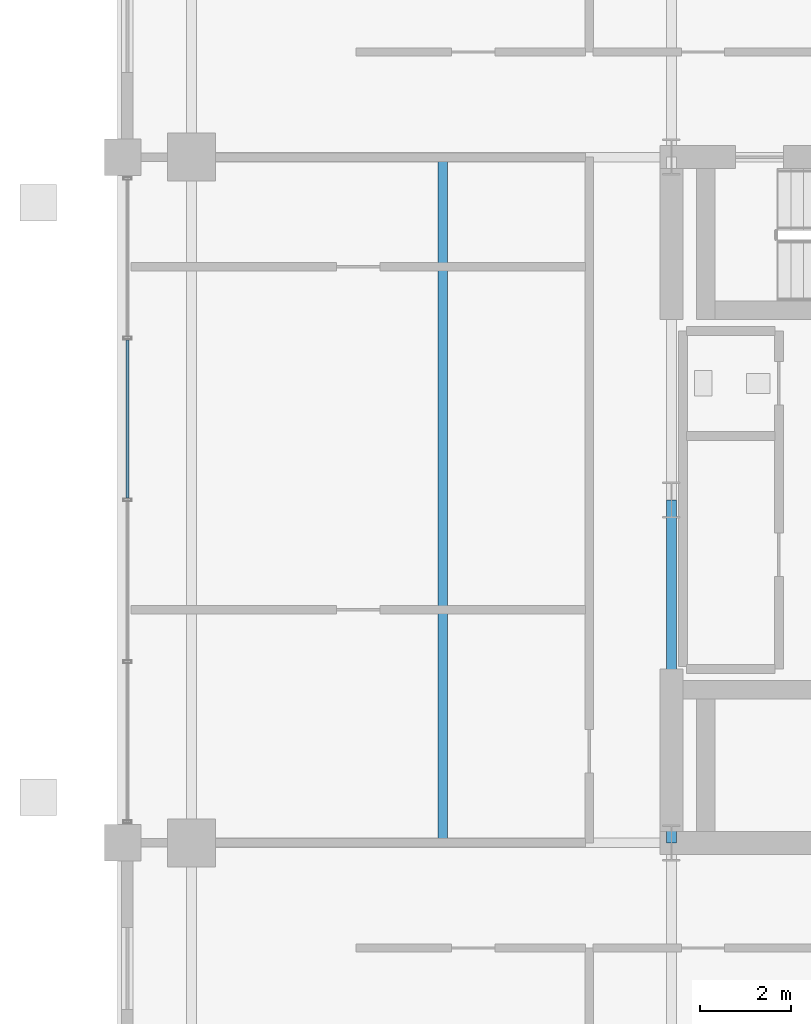
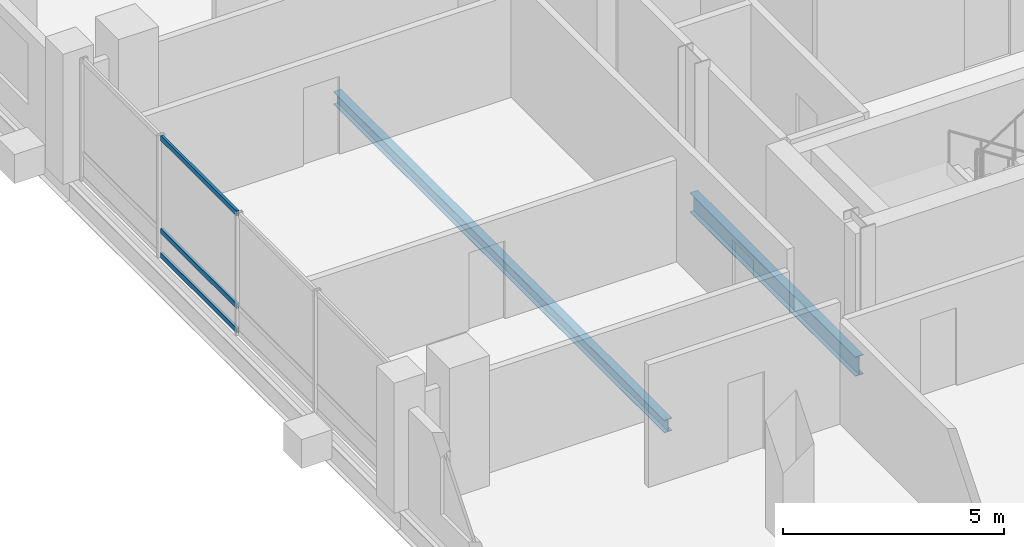
# One storey, part 7 of 24: 3 members, 2 beams, 1 element without a shape of its own.
"""IFC4 building model written with IfcOpenShell, lengths in metres."""

from ifc_helpers import new_model, si_unit, direction, frame, origin, origin_2d, place, context, subcontext, project, spatial, hollow_rectangle, i_section, extrude, material, layer, layer_set, material_profile, profile_set, type_object, element, aggregate, save


model = new_model("IFC4")

# Units and contexts
model_context = context("Model", 3, precision=1e-05, world=origin(), true_north=direction((0.0, 1.0)))
body_context = subcontext(model_context, "Body", "Model", "MODEL_VIEW")
ifc_project = project(units=[si_unit("LENGTHUNIT", "METRE"), si_unit("AREAUNIT", "SQUARE_METRE"), si_unit("VOLUMEUNIT", "CUBIC_METRE"), si_unit("PLANEANGLEUNIT", "RADIAN"), si_unit("MASSUNIT", "GRAM", prefix="KILO")], contexts=[model_context])

# Site, building, storey
site_placement = place(None, origin())
site = spatial("IfcSite", under=ifc_project, at=site_placement, CompositionType="ELEMENT")
building_placement = place(site_placement, origin())
building = spatial("IfcBuilding", under=site, at=building_placement, Name="Barlavira Tower and Art Museum", CompositionType="ELEMENT")
storey_placement = place(building_placement, frame((0.0, 0.0, 180.0)))
storey = spatial("IfcBuildingStorey", under=building, at=storey_placement, Name="L46", CompositionType="ELEMENT", Elevation=180.0)

# Curtain wall, members
ifc_material_1 = material(Name="Low-iron coastal laminated glass", Category="glass")
ifc_layer = layer(ifc_material_1, 0.199951171875, Name="Low-iron coastal laminated glass")
ifc_layer_set = layer_set([ifc_layer], Name="Low-iron coastal laminated glass")
curtain_wall_type = type_object("IfcCurtainWallType", Name="Pale-Metal Unitised Curtain Wall Zone 3", PredefinedType="NOTDEFINED", material=ifc_layer_set)
curtain_wall_placement = place(storey_placement, origin())
curtain_wall = element("IfcCurtainWall", 1, at=curtain_wall_placement, inside=storey, type_object=curtain_wall_type, Name="L46 Curtain Wall CW3-L46-W-B3", PredefinedType="NOTDEFINED")
ifc_material_2 = material(Name="Pale anodised aluminium", Category="aluminium")
ifc_material_profile_1 = material_profile(ifc_material_2, hollow_rectangle(XDim=0.06494140625, YDim=0.139892578125, WallThickness=0.00390625, at=origin_2d()), Name="ALU-TRAN 65x140x4")
ifc_profile_set_1 = profile_set([ifc_material_profile_1], Name="Pale anodised aluminium")
member_type = type_object("IfcMemberType", Name="Curtain Wall Pale-Metal Transom 65x140", PredefinedType="USERDEFINED", material=ifc_profile_set_1)
member_1_placement = place(storey_placement, frame((-18.39990234375, 3.4951171875, 0.070068359375), z_axis=(0.0, -1.0, 0.0), x_axis=(1.0, 0.0, 0.0)))
member_1 = element("IfcMember", 2, at=member_1_placement, type_object=member_type, Name="CW3-L46-W-B3 Transom 1.1", ObjectType="TRANSOM", PredefinedType="USERDEFINED", context=body_context, shape_type="SweptSolid", body=[
    extrude(hollow_rectangle(XDim=0.06494140625, YDim=0.139892578125, WallThickness=0.00390625, at=origin_2d()), origin(), (0.0, 0.0, 1.0), 3.4501953125),
])
member_2_placement = place(storey_placement, frame((-18.39990234375, 3.4951171875, 0.743896484375), z_axis=(0.0, -1.0, 0.0), x_axis=(1.0, 0.0, 0.0)))
member_2 = element("IfcMember", 3, at=member_2_placement, type_object=member_type, Name="CW3-L46-W-B3 Transom 1.2", ObjectType="TRANSOM", PredefinedType="USERDEFINED", context=body_context, shape_type="SweptSolid", body=[
    extrude(hollow_rectangle(XDim=0.06494140625, YDim=0.139892578125, WallThickness=0.00390625, at=origin_2d()), origin(), (0.0, 0.0, 1.0), 3.4501953125),
])
member_3_placement = place(storey_placement, frame((-18.39990234375, 3.4951171875, 3.31005859375), z_axis=(0.0, -1.0, 0.0), x_axis=(1.0, 0.0, 0.0)))
member_3 = element("IfcMember", 4, at=member_3_placement, type_object=member_type, Name="CW3-L46-W-B3 Transom 1.3", ObjectType="TRANSOM", PredefinedType="USERDEFINED", context=body_context, shape_type="SweptSolid", body=[
    extrude(hollow_rectangle(XDim=0.06494140625, YDim=0.139892578125, WallThickness=0.00390625, at=origin_2d()), origin(), (0.0, 0.0, 1.0), 3.4501953125),
])
aggregate(curtain_wall, [member_1, member_2, member_3])

# Beams
ifc_material_3 = material(Name="Steel S355", Category="steel")
ifc_material_profile_2 = material_profile(ifc_material_3, i_section(OverallWidth=0.205078125, OverallDepth=0.35400390625, WebThickness=0.009521484375, FlangeThickness=0.016845703125, at=origin_2d()), Name="W360x79.0")
ifc_profile_set_2 = profile_set([ifc_material_profile_2], Name="Steel S355")
beam_type_1 = type_object("IfcBeamType", Name="Zone 3 Composite Floor Joist W360x79 Steel S355", PredefinedType="JOIST", material=ifc_profile_set_2)
beam_1_placement = place(storey_placement, frame((-11.5, -7.5, -0.39697265625), z_axis=(0.0, 1.0, 0.0), x_axis=(-1.0, 0.0, 0.0)))
element("IfcBeam", 5, at=beam_1_placement, inside=storey, type_object=beam_type_1, Name="L46 Joist W1", PredefinedType="JOIST", context=body_context, shape_type="SweptSolid", body=[
    extrude(i_section(OverallWidth=0.205078125, OverallDepth=0.35400390625, WebThickness=0.009521484375, FlangeThickness=0.016845703125, at=origin_2d()), origin(), (0.0, 0.0, 1.0), 15.0),
])
ifc_material_profile_3 = material_profile(ifc_material_3, i_section(OverallWidth=0.2109375, OverallDepth=0.5390625, WebThickness=0.01171875, FlangeThickness=0.018798828125, at=origin_2d()), Name="W530x109.0")
ifc_profile_set_3 = profile_set([ifc_material_profile_3], Name="Steel S355")
beam_type_2 = type_object("IfcBeamType", Name="Zone 3-4 Primary Floor Girder W530x109 Steel S355", PredefinedType="BEAM", material=ifc_profile_set_3)
beam_2_placement = place(storey_placement, frame((-6.5, -7.5, -0.489501953125), z_axis=(0.0, 1.0, 0.0), x_axis=(-1.0, 0.0, 0.0)))
element("IfcBeam", 6, at=beam_2_placement, inside=storey, type_object=beam_type_2, Name="L46 Girder C-W1", PredefinedType="BEAM", context=body_context, shape_type="SweptSolid", body=[
    extrude(i_section(OverallWidth=0.2109375, OverallDepth=0.5390625, WebThickness=0.01171875, FlangeThickness=0.018798828125, at=origin_2d()), origin(), (0.0, 0.0, 1.0), 7.5),
])

save(model, "model.ifc")
